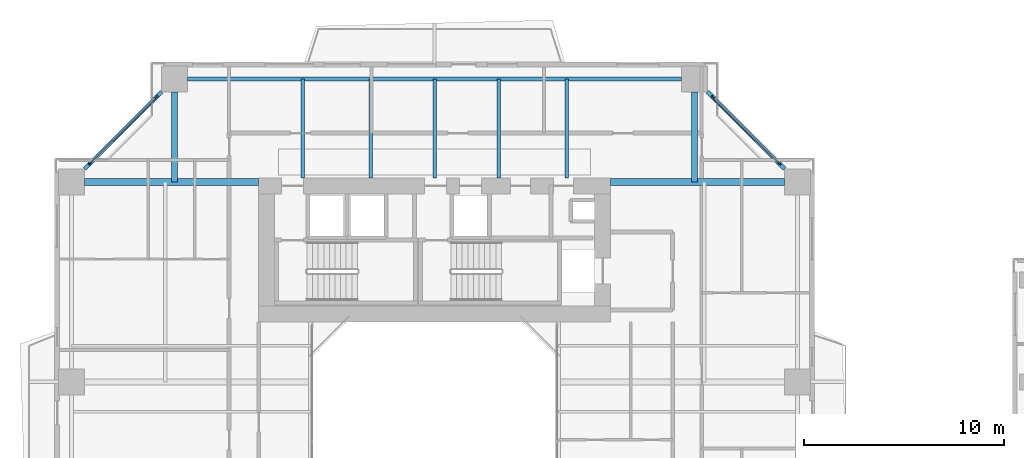
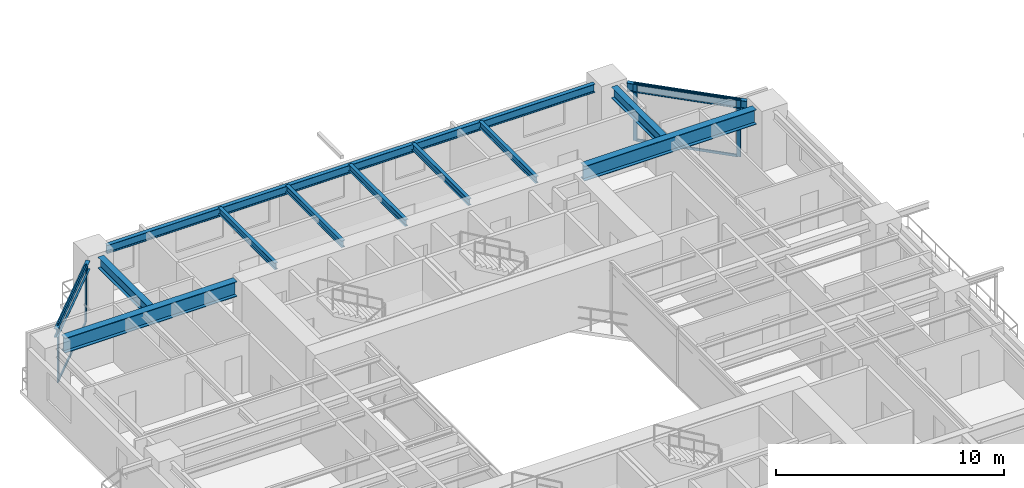
# One storey, part 10 of 23: 12 beams, 8 members, 2 elements without a shape of their own.
"""IFC4 building model written with IfcOpenShell, lengths in metres."""

import ifcopenshell
import ifcopenshell.guid

model = None  # the IFC model being written
_history = None  # IfcOwnerHistory: only IFC2X3 demands one
_inside = {}  # id of a spatial element -> (the spatial element, [elements in it])
_under = {}  # id of a project, library or spatial element -> (it, [spatial elements below it])
_declared = {}  # id of a project -> (the project, [libraries it declares])
_typed = {}  # id of a type object -> (the type object, [elements of that type])
_made_of = {}  # id of a material, layer set ... -> (it, [elements and type objects made of it])


def new_model(schema):
    """Start an empty IFC model of exactly this schema.

    Asked for "IFC4X3", IfcOpenShell would pick the latest addendum, in which some entities
    have other attributes; the version numbers below select the first issue.
    IFC2X3 requires an IfcOwnerHistory on every rooted entity: one is made here for all.
    """
    global model, _history
    if schema == "IFC4X3":
        model = ifcopenshell.file(schema_version=(4, 3, 0, 0))
    else:
        model = ifcopenshell.file(schema=schema)
    _inside.clear()
    _under.clear()
    _declared.clear()
    _typed.clear()
    _made_of.clear()
    _history = None
    if model.schema == "IFC2X3":
        org = make("IfcOrganization", Name="unknown")
        user = make(
            "IfcPersonAndOrganization",
            ThePerson=make("IfcPerson", FamilyName="unknown"),
            TheOrganization=org,
        )
        app = make(
            "IfcApplication",
            ApplicationDeveloper=org,
            Version="unknown",
            ApplicationFullName="unknown",
            ApplicationIdentifier="unknown",
        )
        _history = make(
            "IfcOwnerHistory",
            OwningUser=user,
            OwningApplication=app,
            ChangeAction="ADDED",
            CreationDate=0,
        )
    return model


def make(cls, **values):
    """One entity of the class cls with the attributes given. An attribute that is None is left unset."""
    return model.create_entity(
        cls, **{name: value for name, value in values.items() if value is not None}
    )


def rooted(cls, **values):
    """An entity with a GlobalId (a new one), such as an element, a storey or a relation."""
    return make(cls, GlobalId=ifcopenshell.guid.new(), OwnerHistory=_history, **values)


def si_unit(unit_type, name, prefix=None):
    """IfcSIUnit, for example si_unit("LENGTHUNIT", "METRE", prefix="MILLI")."""
    return make("IfcSIUnit", UnitType=unit_type, Prefix=prefix, Name=name)


def assignment(units):
    """IfcUnitAssignment: the units of a project."""
    return None if units is None else make("IfcUnitAssignment", Units=units)


def point(xyz):
    """IfcCartesianPoint."""
    return None if xyz is None else make("IfcCartesianPoint", Coordinates=xyz)


def direction(xyz):
    """IfcDirection."""
    return None if xyz is None else make("IfcDirection", DirectionRatios=xyz)


def frame(location, z_axis=None, x_axis=None):
    """IfcAxis2Placement3D, a coordinate frame: its origin and axes. An axis left out is left unset."""
    return make(
        "IfcAxis2Placement3D",
        Location=point(location),
        Axis=direction(z_axis),
        RefDirection=direction(x_axis),
    )


def frame_2d(location, x_axis=None):
    """IfcAxis2Placement2D, a coordinate frame in the plane: its origin and x axis."""
    return make(
        "IfcAxis2Placement2D", Location=point(location), RefDirection=direction(x_axis)
    )


def origin():
    """The frame at (0, 0, 0) with its axes left unset."""
    return frame((0.0, 0.0, 0.0))


def origin_2d():
    """The frame at (0, 0) in the plane with its x axis left unset."""
    return frame_2d((0.0, 0.0))


def place(relative_to, where):
    """IfcLocalPlacement: puts the frame where relative to a parent placement (None: the world)."""
    return make(
        "IfcLocalPlacement", PlacementRelTo=relative_to, RelativePlacement=where
    )


def context(
    kind, dimensions, precision=None, world=None, true_north=None, identifier=None
):
    """IfcGeometricRepresentationContext, for example the 3D "Model" context."""
    return make(
        "IfcGeometricRepresentationContext",
        ContextIdentifier=identifier,
        ContextType=kind,
        CoordinateSpaceDimension=dimensions,
        Precision=precision,
        WorldCoordinateSystem=world,
        TrueNorth=true_north,
    )


def subcontext(parent, identifier, kind, view, scale=None):
    """IfcGeometricRepresentationSubContext, for example "Body" below "Model"."""
    return make(
        "IfcGeometricRepresentationSubContext",
        ContextIdentifier=identifier,
        ContextType=kind,
        ParentContext=parent,
        TargetScale=scale,
        TargetView=view,
    )


def project(units=None, contexts=None):
    """IfcProject with its units and contexts."""
    return rooted(
        "IfcProject",
        Name="project",
        RepresentationContexts=contexts,
        UnitsInContext=assignment(units),
    )


def spatial(cls, under=None, at=None, **own):
    """A site, building, storey or space (cls), placed at a placement, below another one or the project."""
    s = rooted(cls, ObjectPlacement=at, **own)
    if under is not None:
        _under.setdefault(under.id(), (under, []))[1].append(s)
    return s


def profile(cls, at=None, kind="AREA", **sizes):
    """A parametric profile (cls). Its sizes go by their IFC names, for example OverallWidth=200.0."""
    return make(cls, ProfileType=kind, Position=at, **sizes)


def rectangle(**sizes):
    """IfcRectangleProfileDef."""
    return profile("IfcRectangleProfileDef", **sizes)


def i_section(**sizes):
    """IfcIShapeProfileDef."""
    return profile("IfcIShapeProfileDef", **sizes)


def extrude(swept, where, along, depth):
    """IfcExtrudedAreaSolid: the profile swept, set in the frame where, extruded along a direction by depth."""
    return make(
        "IfcExtrudedAreaSolid",
        SweptArea=swept,
        Position=where,
        ExtrudedDirection=direction(along),
        Depth=depth,
    )


def shape(context_of_items, identifier, shape_type, items):
    """IfcShapeRepresentation: the items that make up one representation, for example the "Body"."""
    return make(
        "IfcShapeRepresentation",
        ContextOfItems=context_of_items,
        RepresentationIdentifier=identifier,
        RepresentationType=shape_type,
        Items=items,
    )


def source(mapping_origin, context_of_items, identifier, shape_type, items):
    """IfcRepresentationMap: a shape defined once, which mapped items show again and again."""
    return make(
        "IfcRepresentationMap",
        MappingOrigin=mapping_origin,
        MappedRepresentation=shape(context_of_items, identifier, shape_type, items),
    )


def transform(
    local_origin,
    x_axis=None,
    y_axis=None,
    z_axis=None,
    scale=None,
    scale2=None,
    scale3=None,
    uniform=True,
):
    """IfcCartesianTransformationOperator3D, or its non-uniform kind. x_axis, y_axis, z_axis: its Axis1, 2, 3."""
    if uniform:
        return make(
            "IfcCartesianTransformationOperator3D",
            Axis1=direction(x_axis),
            Axis2=direction(y_axis),
            LocalOrigin=point(local_origin),
            Scale=scale,
            Axis3=direction(z_axis),
        )
    return make(
        "IfcCartesianTransformationOperator3DnonUniform",
        Axis1=direction(x_axis),
        Axis2=direction(y_axis),
        LocalOrigin=point(local_origin),
        Scale=scale,
        Axis3=direction(z_axis),
        Scale2=scale2,
        Scale3=scale3,
    )


def mapped(mapping_source, mapping_target):
    """IfcMappedItem: shows the shape of a source again, moved by a transform."""
    return make(
        "IfcMappedItem", MappingSource=mapping_source, MappingTarget=mapping_target
    )


def material(Name=None, Category=None):
    """IfcMaterial."""
    return make("IfcMaterial", Name=Name, Category=Category)


def layer(
    of_material, thickness, ventilated=None, Name=None, Category=None, Priority=None
):
    """IfcMaterialLayer: one layer of a wall or slab, of a material (None: an air gap)."""
    return make(
        "IfcMaterialLayer",
        Material=of_material,
        LayerThickness=thickness,
        IsVentilated=ventilated,
        Name=Name,
        Category=Category,
        Priority=Priority,
    )


def layer_set(layers, Name=None):
    """IfcMaterialLayerSet."""
    return make("IfcMaterialLayerSet", MaterialLayers=layers, LayerSetName=Name)


def material_profile(
    of_material, cross_section, Name=None, Category=None, Priority=None
):
    """IfcMaterialProfile: a cross section and its material."""
    return make(
        "IfcMaterialProfile",
        Name=Name,
        Material=of_material,
        Profile=cross_section,
        Priority=Priority,
        Category=Category,
    )


def profile_set(profiles, Name=None, composite=None):
    """IfcMaterialProfileSet."""
    return make(
        "IfcMaterialProfileSet",
        Name=Name,
        MaterialProfiles=profiles,
        CompositeProfile=composite,
    )


def made_of(thing, what):
    """Note that an element or type object is made of a material, layer set ...; save() writes the relation."""
    if what is not None:
        _made_of.setdefault(what.id(), (what, []))[1].append(thing)
    return thing


def type_object(cls, material=None, **own):
    """A type object (cls), such as IfcWallType, which elements share."""
    return made_of(rooted(cls, **own), material)


def element(
    cls,
    number,
    at=None,
    inside=None,
    cuts=None,
    type_object=None,
    material=None,
    context=None,
    identifier="Body",
    shape_type=None,
    held_by="IfcProductDefinitionShape",
    body=None,
    shapes=None,
    **own,
):
    """One element of the class cls, such as IfcWall. Its Tag is "e" and its number.

    at: its placement. inside: the storey or other place that contains it. cuts: it is an
    opening in that element (IfcRelVoidsElement). A single representation is given by context,
    identifier, shape_type and body (its items); several are given by shapes. held_by: the class
    of the entity that holds the representations. save() writes the other relations.
    """
    e = rooted(cls, Tag="e%d" % number, ObjectPlacement=at, **own)
    if body is not None:
        shapes = [shape(context, identifier, shape_type, body)]
    if shapes is not None:
        e.Representation = make(held_by, Representations=shapes)
    if inside is not None:
        _inside.setdefault(inside.id(), (inside, []))[1].append(e)
    if cuts is not None:
        rooted(
            "IfcRelVoidsElement", RelatingBuildingElement=cuts, RelatedOpeningElement=e
        )
    if type_object is not None:
        _typed.setdefault(type_object.id(), (type_object, []))[1].append(e)
    return made_of(e, material)


def aggregate(whole, parts):
    """IfcRelAggregates: a whole, such as a stair, and the parts it consists of."""
    return rooted("IfcRelAggregates", RelatingObject=whole, RelatedObjects=parts)


def save(model, path):
    """Write the relations noted so far, then the file.

    IfcRelAggregates (storeys below a building ...), IfcRelContainedInSpatialStructure (elements
    in a storey), IfcRelDefinesByType, IfcRelAssociatesMaterial and IfcRelDeclares: one each for
    every whole, place, type object, material and project.
    """
    for whole, parts in _under.values():
        aggregate(whole, parts)
    for where, things in _inside.values():
        rooted(
            "IfcRelContainedInSpatialStructure",
            RelatedElements=things,
            RelatingStructure=where,
        )
    for kind, things in _typed.values():
        rooted("IfcRelDefinesByType", RelatedObjects=things, RelatingType=kind)
    for what, things in _made_of.values():
        rooted("IfcRelAssociatesMaterial", RelatedObjects=things, RelatingMaterial=what)
    for by, libraries in _declared.values():
        rooted("IfcRelDeclares", RelatingContext=by, RelatedDefinitions=libraries)
    model.write(path)


model = new_model("IFC4")

# Units and contexts
model_context = context("Model", 3, precision=1e-05, world=origin(), true_north=direction((0.0, 1.0)))
body_context = subcontext(model_context, "Body", "Model", "MODEL_VIEW")
ifc_project = project(units=[si_unit("LENGTHUNIT", "METRE"), si_unit("AREAUNIT", "SQUARE_METRE"), si_unit("VOLUMEUNIT", "CUBIC_METRE"), si_unit("PLANEANGLEUNIT", "RADIAN"), si_unit("MASSUNIT", "GRAM", prefix="KILO"), si_unit("THERMODYNAMICTEMPERATUREUNIT", "KELVIN"), si_unit("POWERUNIT", "WATT")], contexts=[model_context])

# Site, building, storey
site_placement = place(None, origin())
site = spatial("IfcSite", under=ifc_project, at=site_placement, CompositionType="ELEMENT")
building_placement = place(site_placement, origin())
building = spatial("IfcBuilding", under=site, at=building_placement, Name="Qiaomeng Ring Towers", CompositionType="ELEMENT")
storey_placement = place(building_placement, frame((0.0, 0.0, 86.0)))
storey = spatial("IfcBuildingStorey", under=building, at=storey_placement, Name="L24", CompositionType="ELEMENT", Elevation=86.0)

# Beams
ifc_material_1 = material(Name="Steel Q355B", Category="steel")
ifc_material_profile_1 = material_profile(ifc_material_1, i_section(OverallWidth=0.199951171875, OverallDepth=0.449951171875, WebThickness=0.009033203125, FlangeThickness=0.013916015625, FilletRadius=0.01806640625, at=origin_2d()), Name="HN 450x200x9x14")
ifc_profile_set_1 = profile_set([ifc_material_profile_1], Name="Steel Q355B")
beam_type_1 = type_object("IfcBeamType", Name="STR-BM-HN450", PredefinedType="SPANDREL", material=ifc_profile_set_1)
shared_shape_1 = source(origin(), body_context, "Body", "SweptSolid", [
    extrude(i_section(OverallWidth=0.199951171875, OverallDepth=0.449951171875, WebThickness=0.009033203125, FlangeThickness=0.013916015625, FilletRadius=0.01806640625, at=origin_2d()), origin(), (0.0, 0.0, 1.0), 24.7021484375),
])
beam_placement = place(storey_placement, frame((31.35107421875, 41.14990234375, 2.844970703125), z_axis=(-1.0, 0.0, 0.0), x_axis=(0.0, -1.0, 0.0)))
element("IfcBeam", 1, at=beam_placement, inside=storey, type_object=beam_type_1, Name="L24 beam STR-SP-L24-T1-N2-N1", PredefinedType="SPANDREL", context=body_context, shape_type="MappedRepresentation", body=[
    mapped(shared_shape_1, transform((0.0, 0.0, 0.0), x_axis=(1.0, 0.0, 0.0), y_axis=(0.0, 1.0, 0.0), z_axis=(0.0, 0.0, 1.0), scale=1.0)),
])
shared_shape_2 = source(origin(), body_context, "Body", "SweptSolid", [
    extrude(i_section(OverallWidth=0.199951171875, OverallDepth=0.449951171875, WebThickness=0.009033203125, FlangeThickness=0.013916015625, FilletRadius=0.01806640625, at=origin_2d()), origin(), (0.0, 0.0, 1.0), 5.446533203125),
])
for number, where, z_axis, x_axis, name in (
    (2, (36.500732421875, 36.6494140625, 2.844970703125), (-0.707106781187, 0.707106781187, 0.0), (-0.707106781187, -0.707106781187, 0.0), "L24 beam STR-SP-L24-T1-E4-N2"),
    (3, (5.3505859375, 40.500732421875, 2.844970703125), (-0.707106781187, -0.707106781187, 0.0), (0.707106781187, -0.707106781187, 0.0), "L24 beam STR-SP-L24-T1-N1-W4"),
):
    element("IfcBeam", number, at=place(storey_placement, frame(where, z_axis=z_axis, x_axis=x_axis)), inside=storey, type_object=beam_type_1, Name=name, PredefinedType="SPANDREL", context=body_context, shape_type="MappedRepresentation", body=[
        mapped(shared_shape_2, transform((0.0, 0.0, 0.0), x_axis=(1.0, 0.0, 0.0), y_axis=(0.0, 1.0, 0.0), z_axis=(0.0, 0.0, 1.0), scale=1.0)),
    ])
ifc_material_2 = material(Name="Steel Q390GJC", Category="steel")
ifc_material_profile_2 = material_profile(ifc_material_2, i_section(OverallWidth=0.35009765625, OverallDepth=0.800048828125, WebThickness=0.01611328125, FlangeThickness=0.028076171875, at=origin_2d()), Name="WH 800x350x16x28")
ifc_profile_set_2 = profile_set([ifc_material_profile_2], Name="Steel Q390GJC")
beam_type_2 = type_object("IfcBeamType", Name="STR-BM-WH800", PredefinedType="BEAM", material=ifc_profile_set_2)
shared_shape_3 = source(origin(), body_context, "Body", "SweptSolid", [
    extrude(i_section(OverallWidth=0.35009765625, OverallDepth=0.800048828125, WebThickness=0.01611328125, FlangeThickness=0.028076171875, at=origin_2d()), origin(), (0.0, 0.0, 1.0), 8.700927734375),
])
for number, where, z_axis, x_axis, name in (
    (4, (1.4990234375, 36.0, 2.669921875), (1.0, 0.0, 0.0), (0.0, 1.0, 0.0), "L24 beam STR-BM-L24-T1-RAD-W4"),
    (5, (27.800048828125, 36.0, 2.669921875), (1.0, 0.0, 0.0), (0.0, 1.0, 0.0), "L24 beam STR-BM-L24-T1-RAD-E4"),
):
    element("IfcBeam", number, at=place(storey_placement, frame(where, z_axis=z_axis, x_axis=x_axis)), inside=storey, type_object=beam_type_2, Name=name, PredefinedType="BEAM", context=body_context, shape_type="MappedRepresentation", body=[
        mapped(shared_shape_3, transform((0.0, 0.0, 0.0), x_axis=(1.0, 0.0, 0.0), y_axis=(0.0, 1.0, 0.0), z_axis=(0.0, 0.0, 1.0), scale=1.0)),
    ])
ifc_material_profile_3 = material_profile(ifc_material_1, i_section(OverallWidth=0.300048828125, OverallDepth=0.587890625, WebThickness=0.011962890625, FlangeThickness=0.02001953125, FilletRadius=0.028076171875, at=origin_2d()), Name="HM 588x300x12x20")
ifc_profile_set_3 = profile_set([ifc_material_profile_3], Name="Steel Q355B")
beam_type_3 = type_object("IfcBeamType", Name="STR-BM-HM588", PredefinedType="BEAM", material=ifc_profile_set_3)
shared_shape_4 = source(origin(), body_context, "Body", "SweptSolid", [
    extrude(i_section(OverallWidth=0.300048828125, OverallDepth=0.587890625, WebThickness=0.011962890625, FlangeThickness=0.02001953125, FilletRadius=0.028076171875, at=origin_2d()), origin(), (0.0, 0.0, 1.0), 4.5009765625),
])
for number, where, z_axis, x_axis, name in (
    (6, (6.0, 40.5009765625, 2.77587890625), (0.0, -1.0, 0.0), (1.0, 0.0, 0.0), "L24 beam STR-BM-L24-T1-RAD-N1"),
    (7, (32.0, 40.5009765625, 2.77587890625), (0.0, -1.0, 0.0), (1.0, 0.0, 0.0), "L24 beam STR-BM-L24-T1-RAD-N2"),
):
    element("IfcBeam", number, at=place(storey_placement, frame(where, z_axis=z_axis, x_axis=x_axis)), inside=storey, type_object=beam_type_3, Name=name, PredefinedType="BEAM", context=body_context, shape_type="MappedRepresentation", body=[
        mapped(shared_shape_4, transform((0.0, 0.0, 0.0), x_axis=(1.0, 0.0, 0.0), y_axis=(0.0, 1.0, 0.0), z_axis=(0.0, 0.0, 1.0), scale=1.0)),
    ])
ifc_material_profile_4 = material_profile(ifc_material_1, i_section(OverallWidth=0.175048828125, OverallDepth=0.35009765625, WebThickness=0.007080078125, FlangeThickness=0.010986328125, FilletRadius=0.013916015625, at=origin_2d()), Name="HN 350x175x7x11")
ifc_profile_set_4 = profile_set([ifc_material_profile_4], Name="Steel Q355B")
beam_type_4 = type_object("IfcBeamType", Name="STR-BM-HN350", PredefinedType="JOIST", material=ifc_profile_set_4)
shared_shape_5 = source(origin(), body_context, "Body", "SweptSolid", [
    extrude(i_section(OverallWidth=0.175048828125, OverallDepth=0.35009765625, WebThickness=0.007080078125, FlangeThickness=0.010986328125, FilletRadius=0.013916015625, at=origin_2d()), origin(), (0.0, 0.0, 1.0), 4.949951171875),
])
for number, where, z_axis, x_axis, name in (
    (8, (12.39990234375, 36.199951171875, 2.89501953125), (0.0, 1.0, 0.0), (-1.0, 0.0, 0.0), "L24 beam STR-JST-L24-T1N-1"),
    (9, (15.800048828125, 36.199951171875, 2.89501953125), (0.0, 1.0, 0.0), (-1.0, 0.0, 0.0), "L24 beam STR-JST-L24-T1N-2"),
    (10, (19.0, 36.199951171875, 2.89501953125), (0.0, 1.0, 0.0), (-1.0, 0.0, 0.0), "L24 beam STR-JST-L24-T1N-3"),
    (11, (22.199951171875, 36.199951171875, 2.89501953125), (0.0, 1.0, 0.0), (-1.0, 0.0, 0.0), "L24 beam STR-JST-L24-T1N-4"),
    (12, (25.60009765625, 36.199951171875, 2.89501953125), (0.0, 1.0, 0.0), (-1.0, 0.0, 0.0), "L24 beam STR-JST-L24-T1N-5"),
):
    element("IfcBeam", number, at=place(storey_placement, frame(where, z_axis=z_axis, x_axis=x_axis)), inside=storey, type_object=beam_type_4, Name=name, PredefinedType="JOIST", context=body_context, shape_type="MappedRepresentation", body=[
        mapped(shared_shape_5, transform((0.0, 0.0, 0.0), x_axis=(1.0, 0.0, 0.0), y_axis=(0.0, 1.0, 0.0), z_axis=(0.0, 0.0, 1.0), scale=1.0)),
    ])

# Curtain wall, members
ifc_material_3 = material(Name="Fluorocarbon dark-grey aluminium", Category="aluminium")
ifc_layer = layer(ifc_material_3, 0.159912109375, Name="Fluorocarbon dark-grey aluminium")
ifc_layer_set = layer_set([ifc_layer], Name="Fluorocarbon dark-grey aluminium")
curtain_wall_type = type_object("IfcCurtainWallType", Name="ARC-CW-2", PredefinedType="NOTDEFINED", material=ifc_layer_set)
curtain_wall_1_placement = place(storey_placement, origin())
curtain_wall_1 = element("IfcCurtainWall", 13, at=curtain_wall_1_placement, inside=storey, type_object=curtain_wall_type, Name="L24 Curtain Wall CW2", PredefinedType="NOTDEFINED")
ifc_material_profile_5 = material_profile(ifc_material_3, rectangle(XDim=0.070068359375, YDim=0.179931640625, at=origin_2d()), Name="ALU MULL 70x180")
ifc_profile_set_5 = profile_set([ifc_material_profile_5], Name="Fluorocarbon dark-grey aluminium")
member_type_1 = type_object("IfcMemberType", Name="ARC-CWM-160", PredefinedType="MULLION", material=ifc_profile_set_5)
shared_shape_6 = source(origin(), body_context, "Body", "SweptSolid", [
    extrude(rectangle(XDim=0.070068359375, YDim=0.179931640625, at=origin_2d()), origin(), (0.0, 0.0, 1.0), 3.070068359375),
])
member_1_placement = place(storey_placement, frame((36.2353515625, 36.914794921875, 0.0), z_axis=(0.0, 0.0, 1.0), x_axis=(-0.707106781187, -0.707106781187, 0.0)))
member_1 = element("IfcMember", 14, at=member_1_placement, type_object=member_type_1, Name="CW2 mullion 1", PredefinedType="MULLION", context=body_context, shape_type="MappedRepresentation", body=[
    mapped(shared_shape_6, transform((0.0, 0.0, 0.0), x_axis=(1.0, 0.0, 0.0), y_axis=(0.0, 1.0, 0.0), z_axis=(0.0, 0.0, 1.0), scale=1.0)),
])
member_2_placement = place(storey_placement, frame((32.914794921875, 40.2353515625, 0.0), z_axis=(0.0, 0.0, 1.0), x_axis=(-0.707106781187, -0.707106781187, 0.0)))
member_2 = element("IfcMember", 15, at=member_2_placement, type_object=member_type_1, Name="CW2 mullion 2", PredefinedType="MULLION", context=body_context, shape_type="MappedRepresentation", body=[
    mapped(shared_shape_6, transform((0.0, 0.0, 0.0), x_axis=(1.0, 0.0, 0.0), y_axis=(0.0, 1.0, 0.0), z_axis=(0.0, 0.0, 1.0), scale=1.0)),
])

curtain_wall_2_placement = place(storey_placement, origin())
curtain_wall_2 = element("IfcCurtainWall", 16, at=curtain_wall_2_placement, inside=storey, type_object=curtain_wall_type, Name="L24 Curtain Wall CW2", PredefinedType="NOTDEFINED")
member_3_placement = place(storey_placement, frame((5.085205078125, 40.2353515625, 0.0), z_axis=(0.0, 0.0, 1.0), x_axis=(0.707106781187, -0.707106781187, 0.0)))
member_3 = element("IfcMember", 17, at=member_3_placement, type_object=member_type_1, Name="CW2 mullion 1", PredefinedType="MULLION", context=body_context, shape_type="MappedRepresentation", body=[
    mapped(shared_shape_6, transform((0.0, 0.0, 0.0), x_axis=(1.0, 0.0, 0.0), y_axis=(0.0, 1.0, 0.0), z_axis=(0.0, 0.0, 1.0), scale=1.0)),
])
member_4_placement = place(storey_placement, frame((1.7646484375, 36.914794921875, 0.0), z_axis=(0.0, 0.0, 1.0), x_axis=(0.707106781187, -0.707106781187, 0.0)))
member_4 = element("IfcMember", 18, at=member_4_placement, type_object=member_type_1, Name="CW2 mullion 2", PredefinedType="MULLION", context=body_context, shape_type="MappedRepresentation", body=[
    mapped(shared_shape_6, transform((0.0, 0.0, 0.0), x_axis=(1.0, 0.0, 0.0), y_axis=(0.0, 1.0, 0.0), z_axis=(0.0, 0.0, 1.0), scale=1.0)),
])

# Member
ifc_material_profile_6 = material_profile(ifc_material_3, rectangle(XDim=0.06494140625, YDim=0.1298828125, at=origin_2d()), Name="ALU TRAN 65x130")
ifc_profile_set_6 = profile_set([ifc_material_profile_6], Name="Fluorocarbon dark-grey aluminium")
member_type_2 = type_object("IfcMemberType", Name="ARC-CWT-120", PredefinedType="USERDEFINED", material=ifc_profile_set_6)
shared_shape_7 = source(origin(), body_context, "Body", "SweptSolid", [
    extrude(rectangle(XDim=0.06494140625, YDim=0.1298828125, at=origin_2d()), origin(), (0.0, 0.0, 1.0), 4.6259765625),
])
member_5_placement = place(storey_placement, frame((36.21044921875, 36.939453125, 0.032470703125), z_axis=(-0.707106781187, 0.707106781187, 0.0), x_axis=(-0.707106781187, -0.707106781187, 0.0)))
member_5 = element("IfcMember", 19, at=member_5_placement, type_object=member_type_2, Name="CW2 transom 1.1", ObjectType="TRANSOM", PredefinedType="USERDEFINED", context=body_context, shape_type="MappedRepresentation", body=[
    mapped(shared_shape_7, transform((0.0, 0.0, 0.0), x_axis=(1.0, 0.0, 0.0), y_axis=(0.0, 1.0, 0.0), z_axis=(0.0, 0.0, 1.0), scale=1.0)),
])

member_6_placement = place(storey_placement, frame((36.21044921875, 36.939453125, 3.03759765625), z_axis=(-0.707106781187, 0.707106781187, 0.0), x_axis=(-0.707106781187, -0.707106781187, 0.0)))
member_6 = element("IfcMember", 20, at=member_6_placement, type_object=member_type_2, Name="CW2 transom 1.2", ObjectType="TRANSOM", PredefinedType="USERDEFINED", context=body_context, shape_type="MappedRepresentation", body=[
    mapped(shared_shape_7, transform((0.0, 0.0, 0.0), x_axis=(1.0, 0.0, 0.0), y_axis=(0.0, 1.0, 0.0), z_axis=(0.0, 0.0, 1.0), scale=1.0)),
])

aggregate(curtain_wall_1, [member_1, member_2, member_5, member_6])

member_7_placement = place(storey_placement, frame((5.060546875, 40.21044921875, 0.032470703125), z_axis=(-0.707106781187, -0.707106781187, 0.0), x_axis=(0.707106781187, -0.707106781187, 0.0)))
member_7 = element("IfcMember", 21, at=member_7_placement, type_object=member_type_2, Name="CW2 transom 1.1", ObjectType="TRANSOM", PredefinedType="USERDEFINED", context=body_context, shape_type="MappedRepresentation", body=[
    mapped(shared_shape_7, transform((0.0, 0.0, 0.0), x_axis=(1.0, 0.0, 0.0), y_axis=(0.0, 1.0, 0.0), z_axis=(0.0, 0.0, 1.0), scale=1.0)),
])

member_8_placement = place(storey_placement, frame((5.060546875, 40.21044921875, 3.03759765625), z_axis=(-0.707106781187, -0.707106781187, 0.0), x_axis=(0.707106781187, -0.707106781187, 0.0)))
member_8 = element("IfcMember", 22, at=member_8_placement, type_object=member_type_2, Name="CW2 transom 1.2", ObjectType="TRANSOM", PredefinedType="USERDEFINED", context=body_context, shape_type="MappedRepresentation", body=[
    mapped(shared_shape_7, transform((0.0, 0.0, 0.0), x_axis=(1.0, 0.0, 0.0), y_axis=(0.0, 1.0, 0.0), z_axis=(0.0, 0.0, 1.0), scale=1.0)),
])

aggregate(curtain_wall_2, [member_3, member_4, member_7, member_8])

save(model, "model.ifc")
